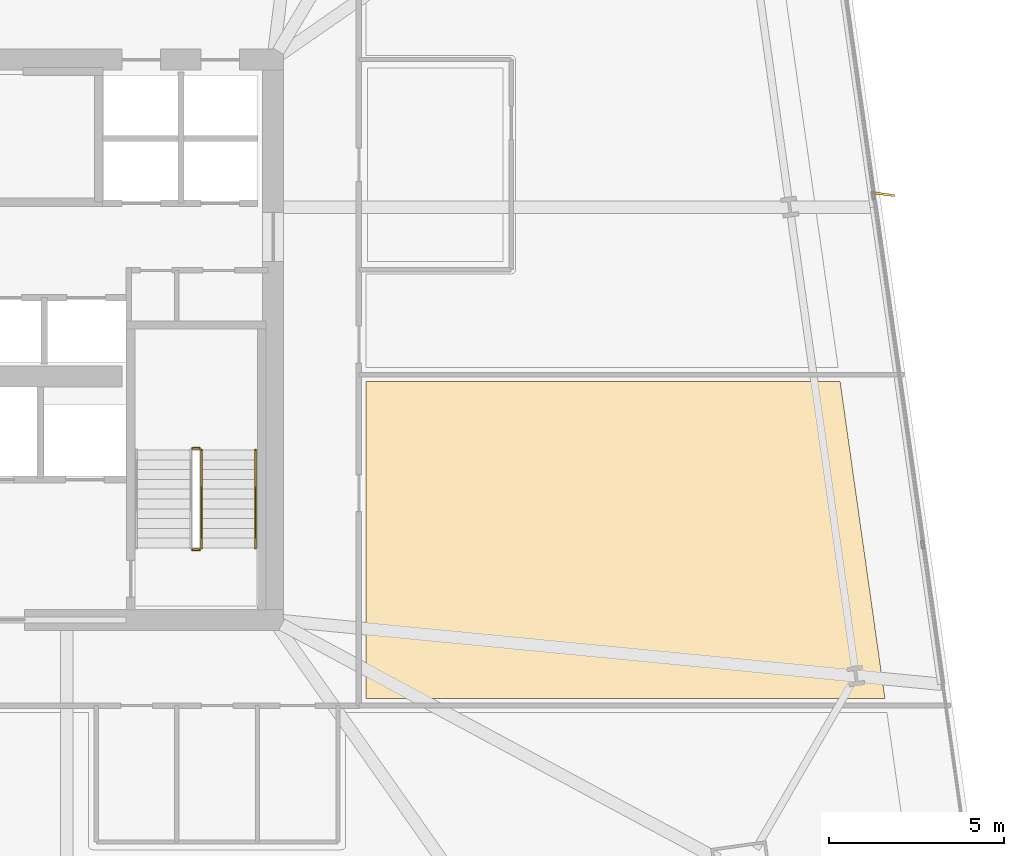
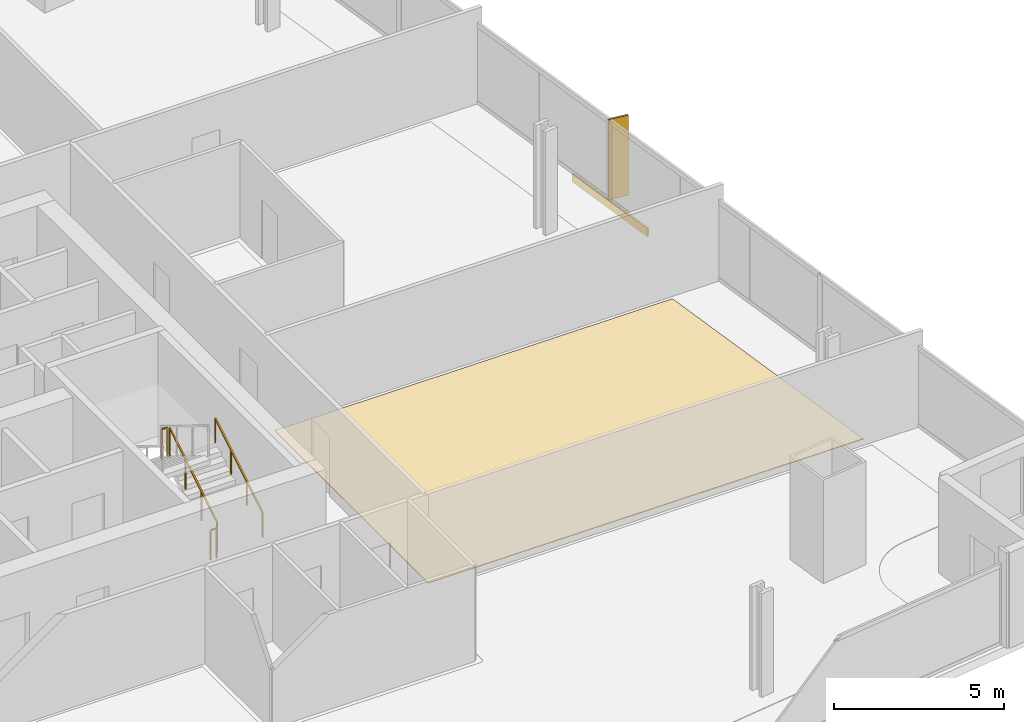
# One storey, part 31 of 33: 4 railings, 2 coverings, 1 shading device.
"""IFC4 building model written with IfcOpenShell, lengths in metres."""

from ifc_helpers import new_model, si_unit, direction, frame, origin, origin_2d, place, context, subcontext, project, spatial, polyline, rectangle, outline, extrude, source, transform, mapped, material, layer, layer_set, type_object, element, save


model = new_model("IFC4")

# Units and contexts
model_context = context("Model", 3, precision=1e-05, world=origin(), true_north=direction((0.0, 1.0)))
body_context = subcontext(model_context, "Body", "Model", "MODEL_VIEW")
ifc_project = project(units=[si_unit("LENGTHUNIT", "METRE"), si_unit("AREAUNIT", "SQUARE_METRE"), si_unit("VOLUMEUNIT", "CUBIC_METRE"), si_unit("PLANEANGLEUNIT", "RADIAN"), si_unit("MASSUNIT", "GRAM", prefix="KILO")], contexts=[model_context])

# Site, building, storey
site_placement = place(None, origin())
site = spatial("IfcSite", under=ifc_project, at=site_placement, CompositionType="ELEMENT")
building_placement = place(site_placement, origin())
building = spatial("IfcBuilding", under=site, at=building_placement, Name="Haldenkirk Collegiate Tower", CompositionType="ELEMENT")
storey_placement = place(building_placement, frame((0.0, 0.0, 55.199951171875)))
storey = spatial("IfcBuildingStorey", under=building, at=storey_placement, Name="L12", CompositionType="ELEMENT", Elevation=55.199951171875)

# Covering
ifc_material_1 = material(Name="Polished collegiate terrazzo", Category="concrete")
ifc_layer_1 = layer(ifc_material_1, 0.02490234375)
ifc_layer_set_1 = layer_set([ifc_layer_1], Name="Polished collegiate terrazzo")
covering_type_1 = type_object("IfcCoveringType", Name="COV-FLOOR-TERRAZZO", PredefinedType="FLOORING", material=ifc_layer_set_1)
covering_1_placement = place(storey_placement, origin())
element("IfcCovering", 1, at=covering_1_placement, inside=storey, type_object=covering_type_1, Name="L12 academic room finish 12", PredefinedType="FLOORING", context=body_context, shape_type="SweptSolid", body=[
    extrude(outline(polyline([(62.476318359375, 15.75), (47.64990234375, 15.75), (47.64990234375, 24.800048828125), (61.1962890625, 24.800048828125), (62.476318359375, 15.75)])), origin(), (0.0, 0.0, 1.0), 0.025146484375),
])

# Railings
ifc_material_2 = material(Name="Painted architectural tubular steel", Category="steel")
railing_type_1 = type_object("IfcRailingType", Name="RLG-STAIR-GUARD-1100", PredefinedType="BALUSTRADE", material=ifc_material_2)
railing_1_placement = place(storey_placement, frame((42.949951171875, 20.050048828125, 0.17041015625)))
element("IfcRailing", 2, at=railing_1_placement, inside=storey, type_object=railing_type_1, Name="L12 ST-2 stair guard 1", PredefinedType="BALUSTRADE", context=body_context, shape_type="SweptSolid", body=[
    extrude(rectangle(XDim=0.048095703125, YDim=0.048095703125, at=origin_2d()), frame((0.0, 0.0, 1.076171875), z_axis=(0.0, 0.854169791009, 0.51999420009), x_axis=(-1.0, 0.0, 0.0)), (0.0, 0.0, 1.0), 3.278076171875),
    extrude(rectangle(XDim=0.0419921875, YDim=0.0419921875, at=origin_2d()), origin(), (0.0, 0.0, 1.0), 1.052001953125),
    extrude(rectangle(XDim=0.0419921875, YDim=0.0419921875, at=origin_2d()), frame((0.0, 0.933349609375, 0.568115234375)), (0.0, 0.0, 1.0), 1.052001953125),
    extrude(rectangle(XDim=0.0419921875, YDim=0.0419921875, at=origin_2d()), frame((0.0, 1.86669921875, 1.136474609375)), (0.0, 0.0, 1.0), 1.052001953125),
    extrude(rectangle(XDim=0.0419921875, YDim=0.0419921875, at=origin_2d()), frame((0.0, 2.800048828125, 1.70458984375)), (0.0, 0.0, 1.0), 1.052001953125),
])
for number, where, name in (
    (3, (42.89990234375, 22.89990234375, 1.875), "L12 ST-2 stair guard 2"),
    (4, (42.89990234375, 20.0, 0.0), "L12 ST-2 stair guard 4"),
):
    element("IfcRailing", number, at=place(storey_placement, frame(where)), inside=storey, type_object=railing_type_1, Name=name, PredefinedType="BALUSTRADE", context=body_context, shape_type="SweptSolid", body=[
        extrude(rectangle(XDim=0.048095703125, YDim=0.048095703125, at=origin_2d()), frame((0.0, 0.0, 1.076171875), z_axis=(-1.0, 0.0, 0.0), x_axis=(0.0, -1.0, 0.0)), (0.0, 0.0, 1.0), 0.199951171875),
        extrude(rectangle(XDim=0.0419921875, YDim=0.0419921875, at=origin_2d()), origin(), (0.0, 0.0, 1.0), 1.052001953125),
        extrude(rectangle(XDim=0.0419921875, YDim=0.0419921875, at=origin_2d()), frame((-0.199951171875, 0.0, 0.0)), (0.0, 0.0, 1.0), 1.052001953125),
    ])
railing_type_2 = type_object("IfcRailingType", Name="RLG-STAIR-HANDRAIL-900", PredefinedType="HANDRAIL", material=ifc_material_2)
railing_2_placement = place(storey_placement, frame((44.5, 20.050048828125, 0.17041015625)))
element("IfcRailing", 5, at=railing_2_placement, inside=storey, type_object=railing_type_2, Name="L12 ST-2 stair handrail 1", PredefinedType="HANDRAIL", context=body_context, shape_type="SweptSolid", body=[
    extrude(rectangle(XDim=0.048095703125, YDim=0.048095703125, at=origin_2d()), frame((0.0, 0.0, 0.8759765625), z_axis=(0.0, 0.854169791009, 0.51999420009), x_axis=(-1.0, 0.0, 0.0)), (0.0, 0.0, 1.0), 3.278076171875),
    extrude(rectangle(XDim=0.0419921875, YDim=0.0419921875, at=origin_2d()), origin(), (0.0, 0.0, 1.0), 0.851806640625),
    extrude(rectangle(XDim=0.0419921875, YDim=0.0419921875, at=origin_2d()), frame((0.0, 0.933349609375, 0.568115234375)), (0.0, 0.0, 1.0), 0.851806640625),
    extrude(rectangle(XDim=0.0419921875, YDim=0.0419921875, at=origin_2d()), frame((0.0, 1.86669921875, 1.136474609375)), (0.0, 0.0, 1.0), 0.851806640625),
    extrude(rectangle(XDim=0.0419921875, YDim=0.0419921875, at=origin_2d()), frame((0.0, 2.800048828125, 1.70458984375)), (0.0, 0.0, 1.0), 0.851806640625),
])

# Covering
ifc_material_3 = material(Name="Anodised architectural bronze aluminium", Category="aluminium")
ifc_layer_2 = layer(ifc_material_3, 0.06005859375)
ifc_layer_set_2 = layer_set([ifc_layer_2], Name="Anodised architectural bronze aluminium")
covering_type_2 = type_object("IfcCoveringType", Name="COV-CLAD-BRONZE-60", PredefinedType="CLADDING", material=ifc_layer_set_2)
shared_shape_1 = source(origin(), body_context, "Body", "SweptSolid", [
    extrude(rectangle(XDim=3.60009765625, YDim=0.06005859375, at=origin_2d()), origin(), (0.0, 0.0, 1.0), 0.300048828125),
])
covering_2_placement = place(storey_placement, frame((62.151611328125, 30.115234375, -0.2998046875), z_axis=(0.0, 0.0, 1.0), x_axis=(0.140037219771, -0.990146240249, 0.0)))
element("IfcCovering", 6, at=covering_2_placement, inside=storey, type_object=covering_type_2, Name="L12 architectural bronze spandrel cladding E", PredefinedType="CLADDING", context=body_context, shape_type="MappedRepresentation", body=[
    mapped(shared_shape_1, transform((0.0, 0.0, 0.0), x_axis=(1.0, 0.0, 0.0), y_axis=(0.0, 1.0, 0.0), z_axis=(0.0, 0.0, 1.0), scale=1.0)),
])

# Shading device
ifc_layer_3 = layer(ifc_material_3, 0.06494140625)
ifc_layer_set_3 = layer_set([ifc_layer_3], Name="Anodised architectural bronze aluminium")
shading_device_type = type_object("IfcShadingDeviceType", Name="SHD-FIN-BRONZE-620", PredefinedType="USERDEFINED", material=ifc_layer_set_3)
shared_shape_2 = source(origin(), body_context, "Body", "SweptSolid", [
    extrude(rectangle(XDim=0.6201171875, YDim=0.06494140625, at=origin_2d()), origin(), (0.0, 0.0, 1.0), 2.89111328125),
])
shading_device_placement = place(storey_placement, frame((62.443603515625, 30.156494140625, 0.0), z_axis=(0.0, 0.0, 1.0), x_axis=(0.990389143102, -0.138308876163, 0.0)))
element("IfcShadingDevice", 7, at=shading_device_placement, inside=storey, type_object=shading_device_type, Name="L12 folded bronze solar fin 1", ObjectType="FIN", PredefinedType="USERDEFINED", context=body_context, shape_type="MappedRepresentation", body=[
    mapped(shared_shape_2, transform((0.0, 0.0, 0.0), x_axis=(1.0, 0.0, 0.0), y_axis=(0.0, 1.0, 0.0), z_axis=(0.0, 0.0, 1.0), scale=1.0)),
])

save(model, "model.ifc")
